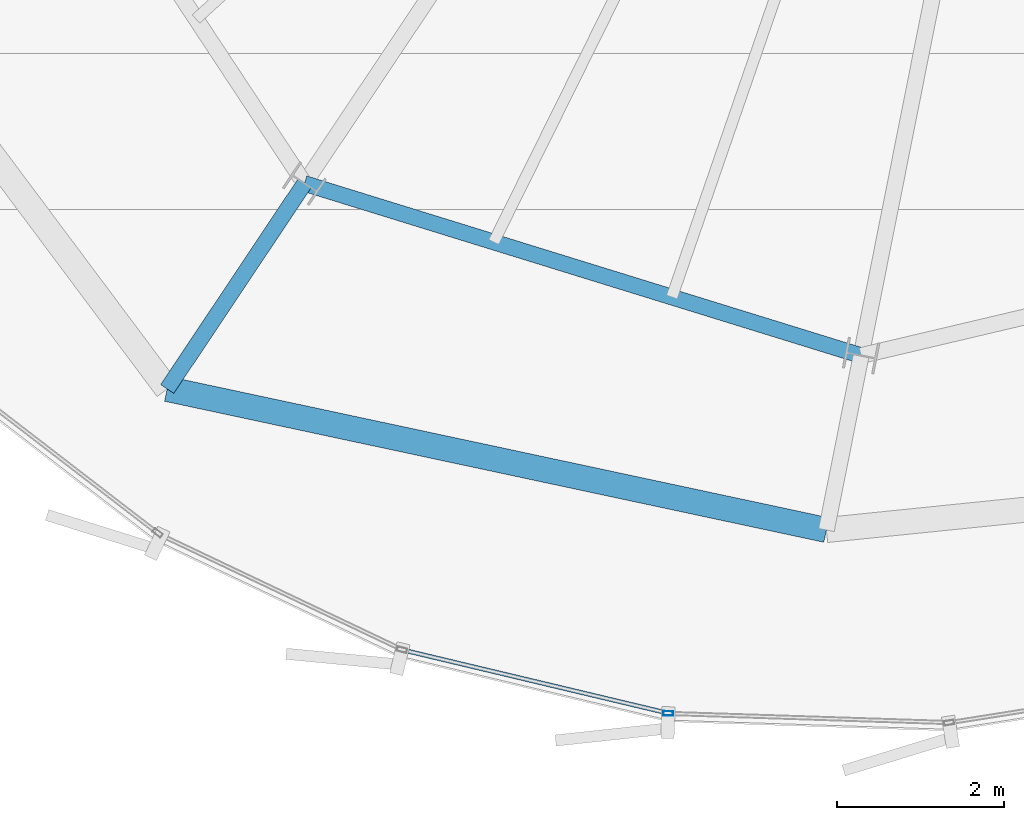
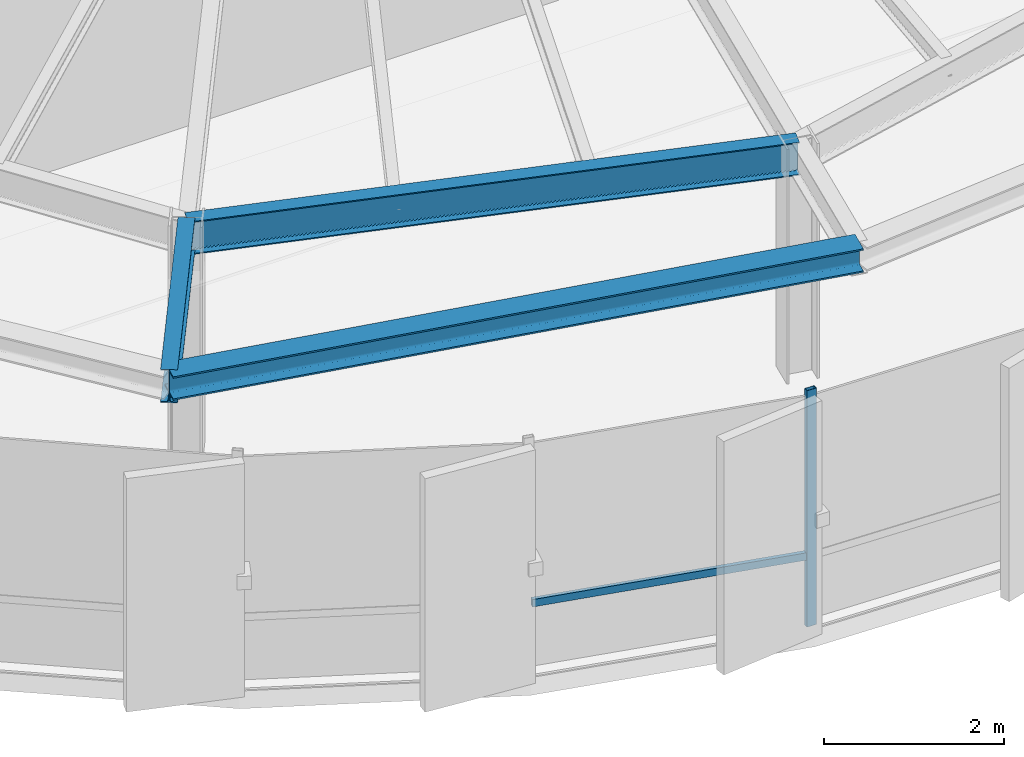
# One storey, part 3 of 31: 3 beams, 2 members, 1 element without a shape of its own.
"""IFC4 building model written with IfcOpenShell, lengths in metres."""

import ifcopenshell
import ifcopenshell.guid

model = None  # the IFC model being written
_history = None  # IfcOwnerHistory: only IFC2X3 demands one
_inside = {}  # id of a spatial element -> (the spatial element, [elements in it])
_under = {}  # id of a project, library or spatial element -> (it, [spatial elements below it])
_declared = {}  # id of a project -> (the project, [libraries it declares])
_typed = {}  # id of a type object -> (the type object, [elements of that type])
_made_of = {}  # id of a material, layer set ... -> (it, [elements and type objects made of it])


def new_model(schema):
    """Start an empty IFC model of exactly this schema.

    Asked for "IFC4X3", IfcOpenShell would pick the latest addendum, in which some entities
    have other attributes; the version numbers below select the first issue.
    IFC2X3 requires an IfcOwnerHistory on every rooted entity: one is made here for all.
    """
    global model, _history
    if schema == "IFC4X3":
        model = ifcopenshell.file(schema_version=(4, 3, 0, 0))
    else:
        model = ifcopenshell.file(schema=schema)
    _inside.clear()
    _under.clear()
    _declared.clear()
    _typed.clear()
    _made_of.clear()
    _history = None
    if model.schema == "IFC2X3":
        org = make("IfcOrganization", Name="unknown")
        user = make(
            "IfcPersonAndOrganization",
            ThePerson=make("IfcPerson", FamilyName="unknown"),
            TheOrganization=org,
        )
        app = make(
            "IfcApplication",
            ApplicationDeveloper=org,
            Version="unknown",
            ApplicationFullName="unknown",
            ApplicationIdentifier="unknown",
        )
        _history = make(
            "IfcOwnerHistory",
            OwningUser=user,
            OwningApplication=app,
            ChangeAction="ADDED",
            CreationDate=0,
        )
    return model


def make(cls, **values):
    """One entity of the class cls with the attributes given. An attribute that is None is left unset."""
    return model.create_entity(
        cls, **{name: value for name, value in values.items() if value is not None}
    )


def rooted(cls, **values):
    """An entity with a GlobalId (a new one), such as an element, a storey or a relation."""
    return make(cls, GlobalId=ifcopenshell.guid.new(), OwnerHistory=_history, **values)


def si_unit(unit_type, name, prefix=None):
    """IfcSIUnit, for example si_unit("LENGTHUNIT", "METRE", prefix="MILLI")."""
    return make("IfcSIUnit", UnitType=unit_type, Prefix=prefix, Name=name)


def assignment(units):
    """IfcUnitAssignment: the units of a project."""
    return None if units is None else make("IfcUnitAssignment", Units=units)


def point(xyz):
    """IfcCartesianPoint."""
    return None if xyz is None else make("IfcCartesianPoint", Coordinates=xyz)


def direction(xyz):
    """IfcDirection."""
    return None if xyz is None else make("IfcDirection", DirectionRatios=xyz)


def frame(location, z_axis=None, x_axis=None):
    """IfcAxis2Placement3D, a coordinate frame: its origin and axes. An axis left out is left unset."""
    return make(
        "IfcAxis2Placement3D",
        Location=point(location),
        Axis=direction(z_axis),
        RefDirection=direction(x_axis),
    )


def frame_2d(location, x_axis=None):
    """IfcAxis2Placement2D, a coordinate frame in the plane: its origin and x axis."""
    return make(
        "IfcAxis2Placement2D", Location=point(location), RefDirection=direction(x_axis)
    )


def origin():
    """The frame at (0, 0, 0) with its axes left unset."""
    return frame((0.0, 0.0, 0.0))


def origin_2d():
    """The frame at (0, 0) in the plane with its x axis left unset."""
    return frame_2d((0.0, 0.0))


def place(relative_to, where):
    """IfcLocalPlacement: puts the frame where relative to a parent placement (None: the world)."""
    return make(
        "IfcLocalPlacement", PlacementRelTo=relative_to, RelativePlacement=where
    )


def context(
    kind, dimensions, precision=None, world=None, true_north=None, identifier=None
):
    """IfcGeometricRepresentationContext, for example the 3D "Model" context."""
    return make(
        "IfcGeometricRepresentationContext",
        ContextIdentifier=identifier,
        ContextType=kind,
        CoordinateSpaceDimension=dimensions,
        Precision=precision,
        WorldCoordinateSystem=world,
        TrueNorth=true_north,
    )


def subcontext(parent, identifier, kind, view, scale=None):
    """IfcGeometricRepresentationSubContext, for example "Body" below "Model"."""
    return make(
        "IfcGeometricRepresentationSubContext",
        ContextIdentifier=identifier,
        ContextType=kind,
        ParentContext=parent,
        TargetScale=scale,
        TargetView=view,
    )


def project(units=None, contexts=None):
    """IfcProject with its units and contexts."""
    return rooted(
        "IfcProject",
        Name="project",
        RepresentationContexts=contexts,
        UnitsInContext=assignment(units),
    )


def spatial(cls, under=None, at=None, **own):
    """A site, building, storey or space (cls), placed at a placement, below another one or the project."""
    s = rooted(cls, ObjectPlacement=at, **own)
    if under is not None:
        _under.setdefault(under.id(), (under, []))[1].append(s)
    return s


def profile(cls, at=None, kind="AREA", **sizes):
    """A parametric profile (cls). Its sizes go by their IFC names, for example OverallWidth=200.0."""
    return make(cls, ProfileType=kind, Position=at, **sizes)


def hollow_rectangle(**sizes):
    """IfcRectangleHollowProfileDef."""
    return profile("IfcRectangleHollowProfileDef", **sizes)


def i_section(**sizes):
    """IfcIShapeProfileDef."""
    return profile("IfcIShapeProfileDef", **sizes)


def extrude(swept, where, along, depth):
    """IfcExtrudedAreaSolid: the profile swept, set in the frame where, extruded along a direction by depth."""
    return make(
        "IfcExtrudedAreaSolid",
        SweptArea=swept,
        Position=where,
        ExtrudedDirection=direction(along),
        Depth=depth,
    )


def shape(context_of_items, identifier, shape_type, items):
    """IfcShapeRepresentation: the items that make up one representation, for example the "Body"."""
    return make(
        "IfcShapeRepresentation",
        ContextOfItems=context_of_items,
        RepresentationIdentifier=identifier,
        RepresentationType=shape_type,
        Items=items,
    )


def source(mapping_origin, context_of_items, identifier, shape_type, items):
    """IfcRepresentationMap: a shape defined once, which mapped items show again and again."""
    return make(
        "IfcRepresentationMap",
        MappingOrigin=mapping_origin,
        MappedRepresentation=shape(context_of_items, identifier, shape_type, items),
    )


def transform(
    local_origin,
    x_axis=None,
    y_axis=None,
    z_axis=None,
    scale=None,
    scale2=None,
    scale3=None,
    uniform=True,
):
    """IfcCartesianTransformationOperator3D, or its non-uniform kind. x_axis, y_axis, z_axis: its Axis1, 2, 3."""
    if uniform:
        return make(
            "IfcCartesianTransformationOperator3D",
            Axis1=direction(x_axis),
            Axis2=direction(y_axis),
            LocalOrigin=point(local_origin),
            Scale=scale,
            Axis3=direction(z_axis),
        )
    return make(
        "IfcCartesianTransformationOperator3DnonUniform",
        Axis1=direction(x_axis),
        Axis2=direction(y_axis),
        LocalOrigin=point(local_origin),
        Scale=scale,
        Axis3=direction(z_axis),
        Scale2=scale2,
        Scale3=scale3,
    )


def mapped(mapping_source, mapping_target):
    """IfcMappedItem: shows the shape of a source again, moved by a transform."""
    return make(
        "IfcMappedItem", MappingSource=mapping_source, MappingTarget=mapping_target
    )


def material(Name=None, Category=None):
    """IfcMaterial."""
    return make("IfcMaterial", Name=Name, Category=Category)


def layer(
    of_material, thickness, ventilated=None, Name=None, Category=None, Priority=None
):
    """IfcMaterialLayer: one layer of a wall or slab, of a material (None: an air gap)."""
    return make(
        "IfcMaterialLayer",
        Material=of_material,
        LayerThickness=thickness,
        IsVentilated=ventilated,
        Name=Name,
        Category=Category,
        Priority=Priority,
    )


def layer_set(layers, Name=None):
    """IfcMaterialLayerSet."""
    return make("IfcMaterialLayerSet", MaterialLayers=layers, LayerSetName=Name)


def material_profile(
    of_material, cross_section, Name=None, Category=None, Priority=None
):
    """IfcMaterialProfile: a cross section and its material."""
    return make(
        "IfcMaterialProfile",
        Name=Name,
        Material=of_material,
        Profile=cross_section,
        Priority=Priority,
        Category=Category,
    )


def profile_set(profiles, Name=None, composite=None):
    """IfcMaterialProfileSet."""
    return make(
        "IfcMaterialProfileSet",
        Name=Name,
        MaterialProfiles=profiles,
        CompositeProfile=composite,
    )


def made_of(thing, what):
    """Note that an element or type object is made of a material, layer set ...; save() writes the relation."""
    if what is not None:
        _made_of.setdefault(what.id(), (what, []))[1].append(thing)
    return thing


def type_object(cls, material=None, **own):
    """A type object (cls), such as IfcWallType, which elements share."""
    return made_of(rooted(cls, **own), material)


def element(
    cls,
    number,
    at=None,
    inside=None,
    cuts=None,
    type_object=None,
    material=None,
    context=None,
    identifier="Body",
    shape_type=None,
    held_by="IfcProductDefinitionShape",
    body=None,
    shapes=None,
    **own,
):
    """One element of the class cls, such as IfcWall. Its Tag is "e" and its number.

    at: its placement. inside: the storey or other place that contains it. cuts: it is an
    opening in that element (IfcRelVoidsElement). A single representation is given by context,
    identifier, shape_type and body (its items); several are given by shapes. held_by: the class
    of the entity that holds the representations. save() writes the other relations.
    """
    e = rooted(cls, Tag="e%d" % number, ObjectPlacement=at, **own)
    if body is not None:
        shapes = [shape(context, identifier, shape_type, body)]
    if shapes is not None:
        e.Representation = make(held_by, Representations=shapes)
    if inside is not None:
        _inside.setdefault(inside.id(), (inside, []))[1].append(e)
    if cuts is not None:
        rooted(
            "IfcRelVoidsElement", RelatingBuildingElement=cuts, RelatedOpeningElement=e
        )
    if type_object is not None:
        _typed.setdefault(type_object.id(), (type_object, []))[1].append(e)
    return made_of(e, material)


def aggregate(whole, parts):
    """IfcRelAggregates: a whole, such as a stair, and the parts it consists of."""
    return rooted("IfcRelAggregates", RelatingObject=whole, RelatedObjects=parts)


def save(model, path):
    """Write the relations noted so far, then the file.

    IfcRelAggregates (storeys below a building ...), IfcRelContainedInSpatialStructure (elements
    in a storey), IfcRelDefinesByType, IfcRelAssociatesMaterial and IfcRelDeclares: one each for
    every whole, place, type object, material and project.
    """
    for whole, parts in _under.values():
        aggregate(whole, parts)
    for where, things in _inside.values():
        rooted(
            "IfcRelContainedInSpatialStructure",
            RelatedElements=things,
            RelatingStructure=where,
        )
    for kind, things in _typed.values():
        rooted("IfcRelDefinesByType", RelatedObjects=things, RelatingType=kind)
    for what, things in _made_of.values():
        rooted("IfcRelAssociatesMaterial", RelatedObjects=things, RelatingMaterial=what)
    for by, libraries in _declared.values():
        rooted("IfcRelDeclares", RelatingContext=by, RelatedDefinitions=libraries)
    model.write(path)


model = new_model("IFC4")

# Units and contexts
model_context = context("Model", 3, precision=1e-05, world=origin(), true_north=direction((0.0, 1.0)))
body_context = subcontext(model_context, "Body", "Model", "MODEL_VIEW")
ifc_project = project(units=[si_unit("LENGTHUNIT", "METRE"), si_unit("AREAUNIT", "SQUARE_METRE"), si_unit("VOLUMEUNIT", "CUBIC_METRE"), si_unit("PLANEANGLEUNIT", "RADIAN"), si_unit("MASSUNIT", "GRAM", prefix="KILO"), si_unit("THERMODYNAMICTEMPERATUREUNIT", "KELVIN")], contexts=[model_context])

# Site, building, storey
site_placement = place(None, origin())
site = spatial("IfcSite", under=ifc_project, at=site_placement, CompositionType="ELEMENT")
building_placement = place(site_placement, origin())
building = spatial("IfcBuilding", under=site, at=building_placement, Name="Kethvar Cultural Tower", CompositionType="ELEMENT")
storey_placement = place(building_placement, frame((0.0, 0.0, 269.800048828125)))
storey = spatial("IfcBuildingStorey", under=building, at=storey_placement, Name="L71", CompositionType="ELEMENT", Elevation=269.800048828125)

# Beams
ifc_material_1 = material(Name="Steel S355J2", Category="steel")
ifc_material_profile_1 = material_profile(ifc_material_1, i_section(OverallWidth=0.18994140625, OverallDepth=0.449951171875, WebThickness=0.009521484375, FlangeThickness=0.0146484375, FilletRadius=0.02099609375, at=origin_2d()), Name="Steel S355J2 — IPE450")
ifc_profile_set_1 = profile_set([ifc_material_profile_1], Name="Steel S355J2 — IPE450")
beam_type_1 = type_object("IfcBeamType", Name="BM-IPE450", PredefinedType="BEAM", material=ifc_profile_set_1)
shared_shape_1 = source(origin(), body_context, "Body", "SweptSolid", [
    extrude(i_section(OverallWidth=0.18994140625, OverallDepth=0.449951171875, WebThickness=0.009521484375, FlangeThickness=0.0146484375, FilletRadius=0.02099609375, at=origin_2d()), origin(), (0.0, 0.0, 1.0), 6.97265625),
])
beam_1_placement = place(storey_placement, frame((36.731201171875, 12.73095703125, 2.98291015625), z_axis=(0.955381444404, -0.295374839295, 0.0), x_axis=(0.295374839295, 0.955381444404, 0.0)))
element("IfcBeam", 1, at=beam_1_placement, inside=storey, type_object=beam_type_1, Name="L71 Column Ring Tie Beam CR-11", PredefinedType="BEAM", context=body_context, shape_type="MappedRepresentation", body=[
    mapped(shared_shape_1, transform((0.0, 0.0, 0.0), scale=1.0)),
])
shared_shape_2 = source(origin(), body_context, "Body", "SweptSolid", [
    extrude(i_section(OverallWidth=0.18994140625, OverallDepth=0.449951171875, WebThickness=0.009521484375, FlangeThickness=0.0146484375, FilletRadius=0.02099609375, at=origin_2d()), origin(), (0.0, 0.0, 1.0), 2.9580078125),
])
beam_2_placement = place(storey_placement, frame((36.731201171875, 12.73095703125, 2.98291015625), z_axis=(-0.555557017639, -0.831478442386, 0.0), x_axis=(0.831478442386, -0.555557017639, 0.0)))
element("IfcBeam", 2, at=beam_2_placement, inside=storey, type_object=beam_type_1, Name="L71 Perimeter Cantilever Beam RC-11", PredefinedType="BEAM", context=body_context, shape_type="MappedRepresentation", body=[
    mapped(shared_shape_2, transform((0.0, 0.0, 0.0), scale=1.0)),
])
ifc_material_profile_2 = material_profile(ifc_material_1, i_section(OverallWidth=0.300048828125, OverallDepth=0.320068359375, WebThickness=0.011474609375, FlangeThickness=0.0205078125, FilletRadius=0.027099609375, at=origin_2d()), Name="Steel S355J2 — HEB320")
ifc_profile_set_2 = profile_set([ifc_material_profile_2], Name="Steel S355J2 — HEB320")
beam_type_2 = type_object("IfcBeamType", Name="BM-SP320", PredefinedType="SPANDREL", material=ifc_profile_set_2)
shared_shape_3 = source(origin(), body_context, "Body", "SweptSolid", [
    extrude(i_section(OverallWidth=0.300048828125, OverallDepth=0.320068359375, WebThickness=0.011474609375, FlangeThickness=0.0205078125, FilletRadius=0.027099609375, at=origin_2d()), origin(), (0.0, 0.0, 1.0), 8.068359375),
])
beam_3_placement = place(storey_placement, frame((35.087890625, 10.271484375, 3.0478515625), z_axis=(0.977883376299, -0.209150908097, 0.0), x_axis=(0.209150908097, 0.977883376299, 0.0)))
element("IfcBeam", 3, at=beam_3_placement, inside=storey, type_object=beam_type_2, Name="L71 Perimeter Spandrel Beam SP-11", PredefinedType="SPANDREL", context=body_context, shape_type="MappedRepresentation", body=[
    mapped(shared_shape_3, transform((0.0, 0.0, 0.0), scale=1.0)),
])

# Curtain wall, members
ifc_material_2 = material(Name="Aluminium 6063-T6", Category="aluminium")
ifc_layer = layer(ifc_material_2, 0.179931640625, Name="Aluminium 6063-T6", Category="aluminium")
ifc_layer_set = layer_set([ifc_layer], Name="Aluminium 6063-T6 (180 mm)")
curtain_wall_type = type_object("IfcCurtainWallType", Name="CW-SYS-05-Z56", PredefinedType="NOTDEFINED", material=ifc_layer_set)
curtain_wall_placement = place(storey_placement, origin())
curtain_wall = element("IfcCurtainWall", 4, at=curtain_wall_placement, inside=storey, type_object=curtain_wall_type, Name="L71 Curtain Wall Run 04", PredefinedType="NOTDEFINED")
ifc_material_profile_3 = material_profile(ifc_material_2, hollow_rectangle(XDim=0.054931640625, YDim=0.1201171875, WallThickness=0.00390625, at=origin_2d()), Name="Aluminium 6063-T6 — RHS120x55x4")
ifc_profile_set_3 = profile_set([ifc_material_profile_3], Name="Aluminium 6063-T6 — RHS120x55x4")
member_type_1 = type_object("IfcMemberType", Name="CW-SYS-05-Z56-MUL", PredefinedType="MULLION", material=ifc_profile_set_3)
shared_shape_4 = source(origin(), body_context, "Body", "SweptSolid", [
    extrude(hollow_rectangle(XDim=0.054931640625, YDim=0.1201171875, WallThickness=0.00390625, at=origin_2d()), origin(), (0.0, 0.0, 1.0), 3.2099609375),
])
member_1_placement = place(storey_placement, frame((41.085205078125, 6.388916015625, 0.0), z_axis=(0.0, 0.0, 1.0), x_axis=(0.032579530921, 0.99946914618, 0.0)))
member_1 = element("IfcMember", 5, at=member_1_placement, type_object=member_type_1, Name="CW-L71-R04 Mullion 3", PredefinedType="MULLION", context=body_context, shape_type="MappedRepresentation", body=[
    mapped(shared_shape_4, transform((0.0, 0.0, 0.0), scale=1.0)),
])
ifc_material_profile_4 = material_profile(ifc_material_2, hollow_rectangle(XDim=0.050048828125, YDim=0.10009765625, WallThickness=0.00390625, at=origin_2d()), Name="Aluminium 6063-T6 — RHS100x50x4")
ifc_profile_set_4 = profile_set([ifc_material_profile_4], Name="Aluminium 6063-T6 — RHS100x50x4")
member_type_2 = type_object("IfcMemberType", Name="CW-SYS-05-Z56-TRN", PredefinedType="USERDEFINED", material=ifc_profile_set_4)
shared_shape_5 = source(origin(), body_context, "Body", "SweptSolid", [
    extrude(hollow_rectangle(XDim=0.050048828125, YDim=0.10009765625, WallThickness=0.00390625, at=origin_2d()), origin(), (0.0, 0.0, 1.0), 3.217041015625),
])
member_2_placement = place(storey_placement, frame((37.937255859375, 7.14111328125, 0.949951171875), z_axis=(0.972770374695, -0.231771003614, 0.0), x_axis=(0.231771003614, 0.972770374695, 0.0)))
member_2 = element("IfcMember", 6, at=member_2_placement, type_object=member_type_2, Name="CW-L71-R04 Transom 2", ObjectType="TRANSOM", PredefinedType="USERDEFINED", context=body_context, shape_type="MappedRepresentation", body=[
    mapped(shared_shape_5, transform((0.0, 0.0, 0.0), scale=1.0)),
])
aggregate(curtain_wall, [member_1, member_2])

save(model, "model.ifc")
